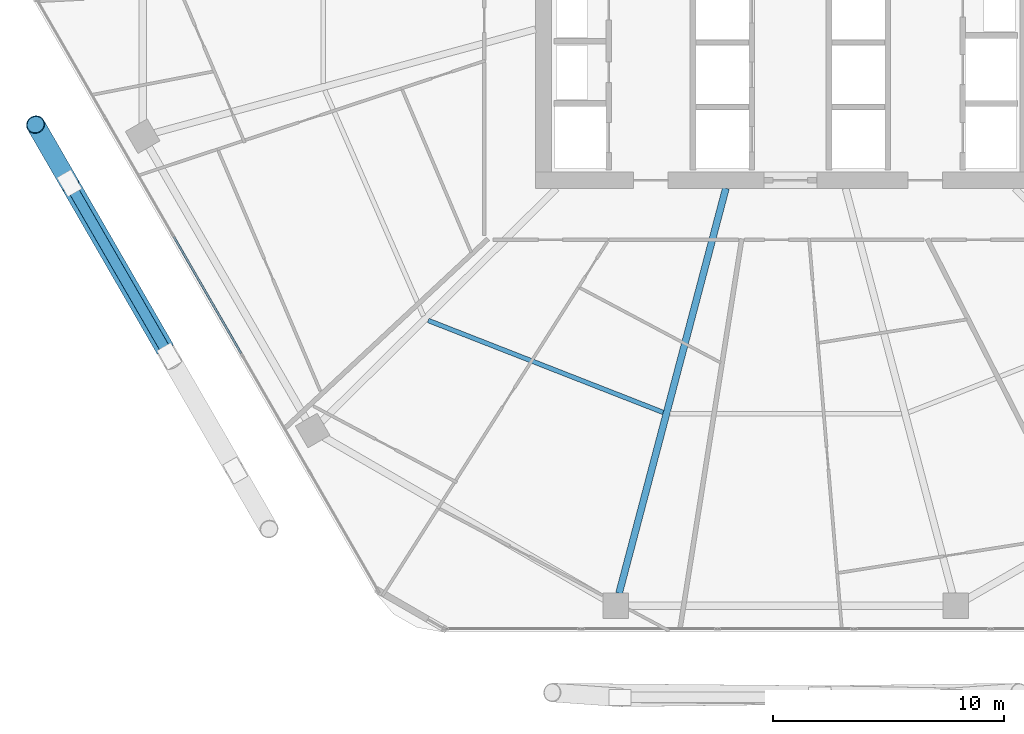
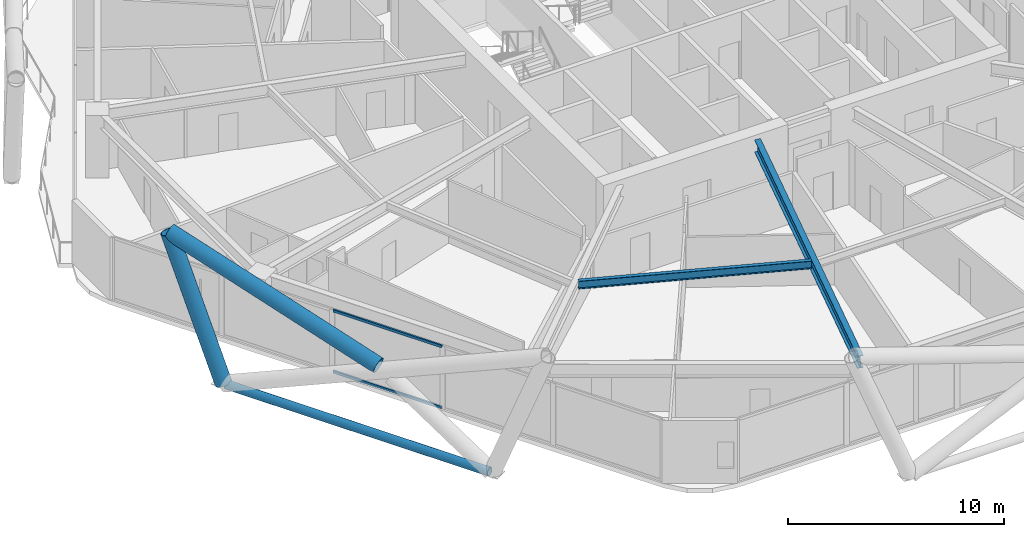
# One storey, part 4 of 34: 5 members, 2 beams, 1 element without a shape of its own.
"""IFC4 building model written with IfcOpenShell, lengths in metres."""

import ifcopenshell
import ifcopenshell.guid

model = None  # the IFC model being written
_history = None  # IfcOwnerHistory: only IFC2X3 demands one
_inside = {}  # id of a spatial element -> (the spatial element, [elements in it])
_under = {}  # id of a project, library or spatial element -> (it, [spatial elements below it])
_declared = {}  # id of a project -> (the project, [libraries it declares])
_typed = {}  # id of a type object -> (the type object, [elements of that type])
_made_of = {}  # id of a material, layer set ... -> (it, [elements and type objects made of it])


def new_model(schema):
    """Start an empty IFC model of exactly this schema.

    Asked for "IFC4X3", IfcOpenShell would pick the latest addendum, in which some entities
    have other attributes; the version numbers below select the first issue.
    IFC2X3 requires an IfcOwnerHistory on every rooted entity: one is made here for all.
    """
    global model, _history
    if schema == "IFC4X3":
        model = ifcopenshell.file(schema_version=(4, 3, 0, 0))
    else:
        model = ifcopenshell.file(schema=schema)
    _inside.clear()
    _under.clear()
    _declared.clear()
    _typed.clear()
    _made_of.clear()
    _history = None
    if model.schema == "IFC2X3":
        org = make("IfcOrganization", Name="unknown")
        user = make(
            "IfcPersonAndOrganization",
            ThePerson=make("IfcPerson", FamilyName="unknown"),
            TheOrganization=org,
        )
        app = make(
            "IfcApplication",
            ApplicationDeveloper=org,
            Version="unknown",
            ApplicationFullName="unknown",
            ApplicationIdentifier="unknown",
        )
        _history = make(
            "IfcOwnerHistory",
            OwningUser=user,
            OwningApplication=app,
            ChangeAction="ADDED",
            CreationDate=0,
        )
    return model


def make(cls, **values):
    """One entity of the class cls with the attributes given. An attribute that is None is left unset."""
    return model.create_entity(
        cls, **{name: value for name, value in values.items() if value is not None}
    )


def rooted(cls, **values):
    """An entity with a GlobalId (a new one), such as an element, a storey or a relation."""
    return make(cls, GlobalId=ifcopenshell.guid.new(), OwnerHistory=_history, **values)


def si_unit(unit_type, name, prefix=None):
    """IfcSIUnit, for example si_unit("LENGTHUNIT", "METRE", prefix="MILLI")."""
    return make("IfcSIUnit", UnitType=unit_type, Prefix=prefix, Name=name)


def assignment(units):
    """IfcUnitAssignment: the units of a project."""
    return None if units is None else make("IfcUnitAssignment", Units=units)


def point(xyz):
    """IfcCartesianPoint."""
    return None if xyz is None else make("IfcCartesianPoint", Coordinates=xyz)


def direction(xyz):
    """IfcDirection."""
    return None if xyz is None else make("IfcDirection", DirectionRatios=xyz)


def frame(location, z_axis=None, x_axis=None):
    """IfcAxis2Placement3D, a coordinate frame: its origin and axes. An axis left out is left unset."""
    return make(
        "IfcAxis2Placement3D",
        Location=point(location),
        Axis=direction(z_axis),
        RefDirection=direction(x_axis),
    )


def frame_2d(location, x_axis=None):
    """IfcAxis2Placement2D, a coordinate frame in the plane: its origin and x axis."""
    return make(
        "IfcAxis2Placement2D", Location=point(location), RefDirection=direction(x_axis)
    )


def origin():
    """The frame at (0, 0, 0) with its axes left unset."""
    return frame((0.0, 0.0, 0.0))


def origin_2d():
    """The frame at (0, 0) in the plane with its x axis left unset."""
    return frame_2d((0.0, 0.0))


def place(relative_to, where):
    """IfcLocalPlacement: puts the frame where relative to a parent placement (None: the world)."""
    return make(
        "IfcLocalPlacement", PlacementRelTo=relative_to, RelativePlacement=where
    )


def context(
    kind, dimensions, precision=None, world=None, true_north=None, identifier=None
):
    """IfcGeometricRepresentationContext, for example the 3D "Model" context."""
    return make(
        "IfcGeometricRepresentationContext",
        ContextIdentifier=identifier,
        ContextType=kind,
        CoordinateSpaceDimension=dimensions,
        Precision=precision,
        WorldCoordinateSystem=world,
        TrueNorth=true_north,
    )


def subcontext(parent, identifier, kind, view, scale=None):
    """IfcGeometricRepresentationSubContext, for example "Body" below "Model"."""
    return make(
        "IfcGeometricRepresentationSubContext",
        ContextIdentifier=identifier,
        ContextType=kind,
        ParentContext=parent,
        TargetScale=scale,
        TargetView=view,
    )


def project(units=None, contexts=None):
    """IfcProject with its units and contexts."""
    return rooted(
        "IfcProject",
        Name="project",
        RepresentationContexts=contexts,
        UnitsInContext=assignment(units),
    )


def spatial(cls, under=None, at=None, **own):
    """A site, building, storey or space (cls), placed at a placement, below another one or the project."""
    s = rooted(cls, ObjectPlacement=at, **own)
    if under is not None:
        _under.setdefault(under.id(), (under, []))[1].append(s)
    return s


def profile(cls, at=None, kind="AREA", **sizes):
    """A parametric profile (cls). Its sizes go by their IFC names, for example OverallWidth=200.0."""
    return make(cls, ProfileType=kind, Position=at, **sizes)


def hollow_rectangle(**sizes):
    """IfcRectangleHollowProfileDef."""
    return profile("IfcRectangleHollowProfileDef", **sizes)


def hollow_circle(**sizes):
    """IfcCircleHollowProfileDef."""
    return profile("IfcCircleHollowProfileDef", **sizes)


def i_section(**sizes):
    """IfcIShapeProfileDef."""
    return profile("IfcIShapeProfileDef", **sizes)


def extrude(swept, where, along, depth):
    """IfcExtrudedAreaSolid: the profile swept, set in the frame where, extruded along a direction by depth."""
    return make(
        "IfcExtrudedAreaSolid",
        SweptArea=swept,
        Position=where,
        ExtrudedDirection=direction(along),
        Depth=depth,
    )


def shape(context_of_items, identifier, shape_type, items):
    """IfcShapeRepresentation: the items that make up one representation, for example the "Body"."""
    return make(
        "IfcShapeRepresentation",
        ContextOfItems=context_of_items,
        RepresentationIdentifier=identifier,
        RepresentationType=shape_type,
        Items=items,
    )


def material(Name=None, Category=None):
    """IfcMaterial."""
    return make("IfcMaterial", Name=Name, Category=Category)


def material_profile(
    of_material, cross_section, Name=None, Category=None, Priority=None
):
    """IfcMaterialProfile: a cross section and its material."""
    return make(
        "IfcMaterialProfile",
        Name=Name,
        Material=of_material,
        Profile=cross_section,
        Priority=Priority,
        Category=Category,
    )


def profile_set(profiles, Name=None, composite=None):
    """IfcMaterialProfileSet."""
    return make(
        "IfcMaterialProfileSet",
        Name=Name,
        MaterialProfiles=profiles,
        CompositeProfile=composite,
    )


def made_of(thing, what):
    """Note that an element or type object is made of a material, layer set ...; save() writes the relation."""
    if what is not None:
        _made_of.setdefault(what.id(), (what, []))[1].append(thing)
    return thing


def type_object(cls, material=None, **own):
    """A type object (cls), such as IfcWallType, which elements share."""
    return made_of(rooted(cls, **own), material)


def element(
    cls,
    number,
    at=None,
    inside=None,
    cuts=None,
    type_object=None,
    material=None,
    context=None,
    identifier="Body",
    shape_type=None,
    held_by="IfcProductDefinitionShape",
    body=None,
    shapes=None,
    **own,
):
    """One element of the class cls, such as IfcWall. Its Tag is "e" and its number.

    at: its placement. inside: the storey or other place that contains it. cuts: it is an
    opening in that element (IfcRelVoidsElement). A single representation is given by context,
    identifier, shape_type and body (its items); several are given by shapes. held_by: the class
    of the entity that holds the representations. save() writes the other relations.
    """
    e = rooted(cls, Tag="e%d" % number, ObjectPlacement=at, **own)
    if body is not None:
        shapes = [shape(context, identifier, shape_type, body)]
    if shapes is not None:
        e.Representation = make(held_by, Representations=shapes)
    if inside is not None:
        _inside.setdefault(inside.id(), (inside, []))[1].append(e)
    if cuts is not None:
        rooted(
            "IfcRelVoidsElement", RelatingBuildingElement=cuts, RelatedOpeningElement=e
        )
    if type_object is not None:
        _typed.setdefault(type_object.id(), (type_object, []))[1].append(e)
    return made_of(e, material)


def aggregate(whole, parts):
    """IfcRelAggregates: a whole, such as a stair, and the parts it consists of."""
    return rooted("IfcRelAggregates", RelatingObject=whole, RelatedObjects=parts)


def save(model, path):
    """Write the relations noted so far, then the file.

    IfcRelAggregates (storeys below a building ...), IfcRelContainedInSpatialStructure (elements
    in a storey), IfcRelDefinesByType, IfcRelAssociatesMaterial and IfcRelDeclares: one each for
    every whole, place, type object, material and project.
    """
    for whole, parts in _under.values():
        aggregate(whole, parts)
    for where, things in _inside.values():
        rooted(
            "IfcRelContainedInSpatialStructure",
            RelatedElements=things,
            RelatingStructure=where,
        )
    for kind, things in _typed.values():
        rooted("IfcRelDefinesByType", RelatedObjects=things, RelatingType=kind)
    for what, things in _made_of.values():
        rooted("IfcRelAssociatesMaterial", RelatedObjects=things, RelatingMaterial=what)
    for by, libraries in _declared.values():
        rooted("IfcRelDeclares", RelatingContext=by, RelatedDefinitions=libraries)
    model.write(path)


model = new_model("IFC4")

# Units and contexts
model_context = context("Model", 3, precision=1e-05, world=origin(), true_north=direction((0.0, 1.0)))
body_context = subcontext(model_context, "Body", "Model", "MODEL_VIEW")
ifc_project = project(units=[si_unit("LENGTHUNIT", "METRE"), si_unit("AREAUNIT", "SQUARE_METRE"), si_unit("VOLUMEUNIT", "CUBIC_METRE"), si_unit("PLANEANGLEUNIT", "RADIAN"), si_unit("MASSUNIT", "GRAM", prefix="KILO")], contexts=[model_context])

# Site, building, storey
site_placement = place(None, origin())
site = spatial("IfcSite", under=ifc_project, at=site_placement, CompositionType="ELEMENT")
building_placement = place(site_placement, origin())
building = spatial("IfcBuilding", under=site, at=building_placement, Name="Zuhravey Tower", CompositionType="ELEMENT")
storey_placement = place(building_placement, frame((0.0, 0.0, 130.39990234375)))
storey = spatial("IfcBuildingStorey", under=building, at=storey_placement, Name="L32", CompositionType="ELEMENT", Elevation=130.39990234375)

# Curtain wall, members
ifc_material_1 = material(Name="Thermally broken anodised aluminium", Category="aluminium")
curtain_wall_type = type_object("IfcCurtainWallType", Name="Zone 1-2 Residential Curtain Wall CW3", PredefinedType="NOTDEFINED", material=ifc_material_1)
curtain_wall_placement = place(storey_placement, origin())
curtain_wall = element("IfcCurtainWall", 1, at=curtain_wall_placement, inside=storey, type_object=curtain_wall_type, Name="L32 CW3 CW-L32-F4-1", PredefinedType="NOTDEFINED")
ifc_material_2 = material(Name="Anodised aluminium", Category="aluminium")
ifc_material_profile_1 = material_profile(ifc_material_2, hollow_rectangle(XDim=0.090087890625, YDim=0.14990234375, WallThickness=0.0048828125, at=origin_2d()), Name="ALU-RHS-90x150x5")
ifc_profile_set_1 = profile_set([ifc_material_profile_1], Name="Anodised aluminium")
member_type_1 = type_object("IfcMemberType", Name="Curtain-Wall Transom 90x150", PredefinedType="USERDEFINED", material=ifc_profile_set_1)
member_1_placement = place(storey_placement, frame((12.378662109375, 14.996337890625, 0.045166015625), z_axis=(-0.499981042766, 0.866036348472, 0.0), x_axis=(-0.866036348472, -0.499981042766, 0.0)))
member_1 = element("IfcMember", 2, at=member_1_placement, type_object=member_type_1, Name="CW3 transom 3.1", ObjectType="TRANSOM", PredefinedType="USERDEFINED", context=body_context, shape_type="SweptSolid", body=[
    extrude(hollow_rectangle(XDim=0.090087890625, YDim=0.14990234375, WallThickness=0.0048828125, at=origin_2d()), origin(), (0.0, 0.0, 1.0), 5.829833984375),
])
member_2_placement = place(storey_placement, frame((12.378662109375, 14.996337890625, 3.505126953125), z_axis=(-0.499981042766, 0.866036348472, 0.0), x_axis=(-0.866036348472, -0.499981042766, 0.0)))
member_2 = element("IfcMember", 3, at=member_2_placement, type_object=member_type_1, Name="CW3 transom 3.2", ObjectType="TRANSOM", PredefinedType="USERDEFINED", context=body_context, shape_type="SweptSolid", body=[
    extrude(hollow_rectangle(XDim=0.090087890625, YDim=0.14990234375, WallThickness=0.0048828125, at=origin_2d()), origin(), (0.0, 0.0, 1.0), 5.829833984375),
])
aggregate(curtain_wall, [member_1, member_2])

# Members
ifc_material_3 = material(Name="Steel SM355", Category="steel")
ifc_material_profile_2 = material_profile(ifc_material_3, hollow_circle(Radius=0.228515625, WallThickness=0.02197265625, at=origin_2d()), Name="CHS-457.2x22")
ifc_profile_set_2 = profile_set([ifc_material_profile_2], Name="Steel SM355")
member_type_2 = type_object("IfcMemberType", Name="Exoskeleton Ring Tie CHS457x22", PredefinedType="CHORD", material=ifc_profile_set_2)
member_3_placement = place(storey_placement, frame((5.004150390625, 22.24951171875, -0.4638671875), z_axis=(0.499995593262, -0.866027948001, 0.0), x_axis=(0.866027948001, 0.499995593262, 0.0)))
element("IfcMember", 4, at=member_3_placement, inside=storey, type_object=member_type_2, Name="L32 Exoskeleton Face 4 Tie EXR1", PredefinedType="CHORD", context=body_context, shape_type="SweptSolid", body=[
    extrude(hollow_circle(Radius=0.228515625, WallThickness=0.02197265625, at=origin_2d()), origin(), (0.0, 0.0, 1.0), 14.107666015625),
])
ifc_material_4 = material(Name="Steel SM460", Category="steel")
ifc_material_profile_3 = material_profile(ifc_material_4, hollow_circle(Radius=0.406494140625, WallThickness=0.035888671875, at=origin_2d()), Name="CHS-812.8x36")
ifc_profile_set_3 = profile_set([ifc_material_profile_3], Name="Steel SM460")
member_type_3 = type_object("IfcMemberType", Name="Exoskeleton Zone 1 Diagrid CHS813x36", PredefinedType="BRACE", material=ifc_profile_set_3)
member_4_placement = place(storey_placement, frame((4.929931640625, 22.378173828125, -0.44189453125), z_axis=(-0.180574288521, 0.312728273078, 0.932520216158), x_axis=(-0.866000778371, -0.500042650041, 0.0)))
element("IfcMember", 5, at=member_4_placement, inside=storey, type_object=member_type_3, Name="L32 Face 4 Diagrid Brace 1", PredefinedType="BRACE", context=body_context, shape_type="SweptSolid", body=[
    extrude(hollow_circle(Radius=0.406494140625, WallThickness=0.035888671875, at=origin_2d()), origin(), (0.0, 0.0, 1.0), 8.102783203125),
])
member_5_placement = place(storey_placement, frame((9.078369140625, 15.192626953125, 3.45947265625), z_axis=(-0.475188029637, 0.823049078063, 0.311105370557), x_axis=(-0.866025211119, -0.500000333706, 0.0)))
element("IfcMember", 6, at=member_5_placement, inside=storey, type_object=member_type_3, Name="L32 Face 4 Split Diagrid Brace 3B", PredefinedType="BRACE", context=body_context, shape_type="SweptSolid", body=[
    extrude(hollow_circle(Radius=0.406494140625, WallThickness=0.035888671875, at=origin_2d()), origin(), (0.0, 0.0, 1.0), 11.763427734375),
])

# Beams
ifc_material_profile_4 = material_profile(ifc_material_3, i_section(OverallWidth=0.300048828125, OverallDepth=0.699951171875, WebThickness=0.012939453125, FlangeThickness=0.02392578125, at=origin_2d()), Name="H-700x300x13x24")
ifc_profile_set_4 = profile_set([ifc_material_profile_4], Name="Steel SM355")
beam_type_1 = type_object("IfcBeamType", Name="Radial Primary Girder H700x300", PredefinedType="BEAM", material=ifc_profile_set_4)
beam_1_placement = place(storey_placement, frame((33.40185546875, 22.14697265625, 3.2001953125), z_axis=(-0.25498755891, -0.966944333869, 0.0), x_axis=(0.966944333869, -0.25498755891, 0.0)))
element("IfcBeam", 7, at=beam_1_placement, inside=storey, type_object=beam_type_1, Name="L32 RG1 BM-L32-RAD-09", PredefinedType="BEAM", context=body_context, shape_type="SweptSolid", body=[
    extrude(i_section(OverallWidth=0.300048828125, OverallDepth=0.699951171875, WebThickness=0.012939453125, FlangeThickness=0.02392578125, at=origin_2d()), origin(), (0.0, 0.0, 1.0), 18.1611328125),
])
ifc_material_profile_5 = material_profile(ifc_material_3, i_section(OverallWidth=0.199951171875, OverallDepth=0.449951171875, WebThickness=0.009033203125, FlangeThickness=0.013916015625, at=origin_2d()), Name="H-450x200x9x14")
ifc_profile_set_5 = profile_set([ifc_material_profile_5], Name="Steel SM355")
beam_type_2 = type_object("IfcBeamType", Name="Secondary Floor Joist H450x200", PredefinedType="JOIST", material=ifc_profile_set_5)
beam_2_placement = place(storey_placement, frame((20.49462890625, 16.418701171875, 3.3251953125), z_axis=(0.931216764731, -0.364465824302, 0.0), x_axis=(0.364465824302, 0.931216764731, 0.0)))
element("IfcBeam", 8, at=beam_2_placement, inside=storey, type_object=beam_type_2, Name="L32 SJ1 BM-L32-SJ-08-1", PredefinedType="JOIST", context=body_context, shape_type="SweptSolid", body=[
    extrude(i_section(OverallWidth=0.199951171875, OverallDepth=0.449951171875, WebThickness=0.009033203125, FlangeThickness=0.013916015625, at=origin_2d()), origin(), (0.0, 0.0, 1.0), 10.939453125),
])

save(model, "model.ifc")
